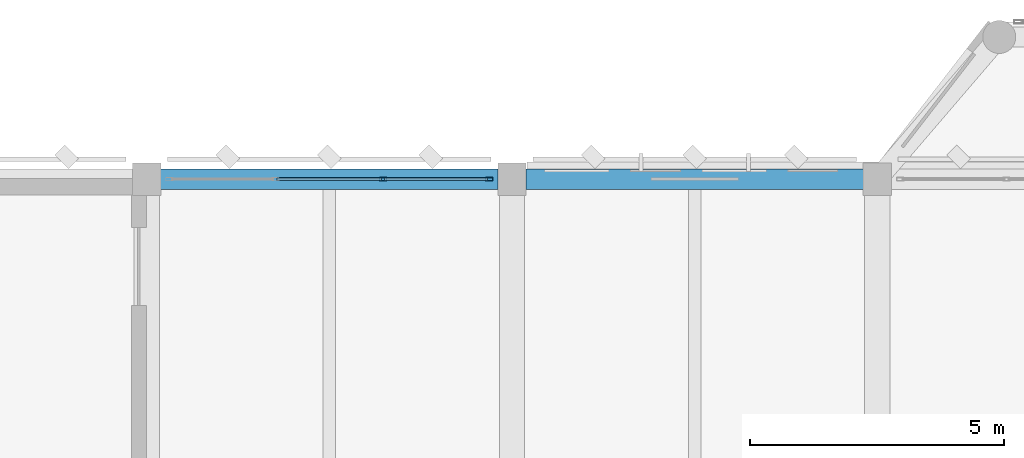
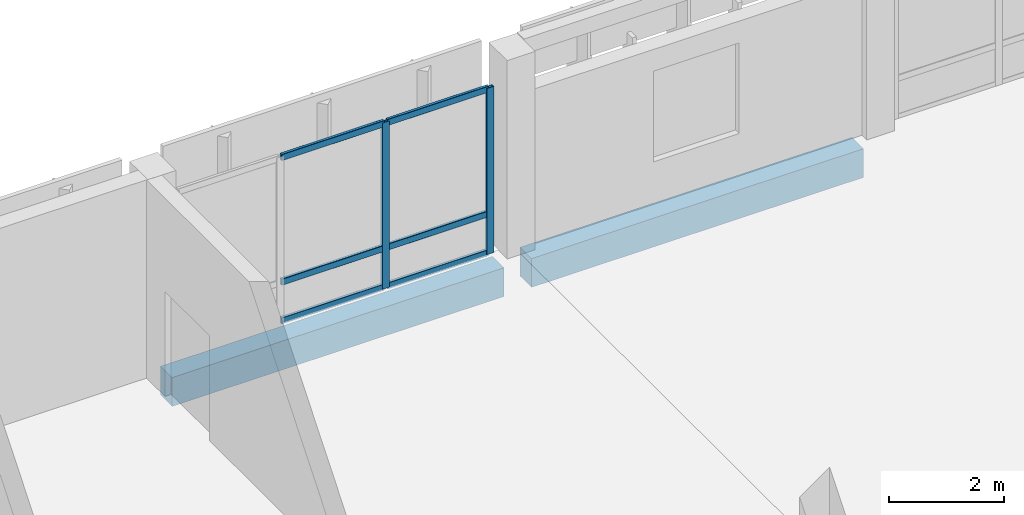
# One storey, part 71 of 158: 8 members, 2 beams, 1 element without a shape of its own.
"""IFC4 building model written with IfcOpenShell, lengths in metres."""

from ifc_helpers import new_model, si_unit, direction, frame, origin, origin_2d, place, context, subcontext, project, spatial, rectangle, hollow_rectangle, extrude, material, material_profile, profile_set, type_object, element, aggregate, save


model = new_model("IFC4")

# Units and contexts
model_context = context("Model", 3, precision=1e-05, world=origin(), true_north=direction((0.0, 1.0)))
body_context = subcontext(model_context, "Body", "Model", "MODEL_VIEW")
ifc_project = project(units=[si_unit("LENGTHUNIT", "METRE"), si_unit("AREAUNIT", "SQUARE_METRE"), si_unit("VOLUMEUNIT", "CUBIC_METRE"), si_unit("PLANEANGLEUNIT", "RADIAN"), si_unit("MASSUNIT", "GRAM", prefix="KILO")], contexts=[model_context])

# Site, building, storey
site_placement = place(None, origin())
site = spatial("IfcSite", under=ifc_project, at=site_placement, CompositionType="ELEMENT")
building_placement = place(site_placement, origin())
building = spatial("IfcBuilding", under=site, at=building_placement, Name="Lusvemor Sports Hall", CompositionType="ELEMENT")
storey_placement = place(building_placement, frame((0.0, 0.0, 10.800048828125)))
storey = spatial("IfcBuildingStorey", under=building, at=storey_placement, Name="L02", CompositionType="ELEMENT", Elevation=10.800048828125)

# Curtain wall, members
ifc_material_1 = material(Name="Thermally broken bronze-anodized aluminium", Category="aluminium")
curtain_wall_type = type_object("IfcCurtainWallType", Name="CW_WING_B", PredefinedType="NOTDEFINED", material=ifc_material_1)
curtain_wall_placement = place(storey_placement, origin())
curtain_wall = element("IfcCurtainWall", 1, at=curtain_wall_placement, inside=storey, type_object=curtain_wall_type, Name="Curtain Wall CW-L02-N-1-11", PredefinedType="NOTDEFINED")
ifc_material_2 = material(Name="Thermally broken bronze-anodized aluminium", Category="aluminium")
ifc_material_profile_1 = material_profile(ifc_material_2, hollow_rectangle(XDim=0.06494140625, YDim=0.14990234375, WallThickness=0.00390625, InnerFilletRadius=0.00390625, OuterFilletRadius=0.008056640625, at=origin_2d()), Name="CWMUL150x65x4")
ifc_profile_set_1 = profile_set([ifc_material_profile_1], Name="Thermally broken bronze-anodized aluminium")
member_type_1 = type_object("IfcMemberType", Name="CW_MUL_B", PredefinedType="MULLION", material=ifc_profile_set_1)
member_1_placement = place(storey_placement, frame((116.260009765625, 115.199951171875, 0.0), z_axis=(0.0, 0.0, 1.0), x_axis=(0.0, 1.0, 0.0)))
member_1 = element("IfcMember", 2, at=member_1_placement, type_object=member_type_1, Name="CW02 mullion 3", PredefinedType="MULLION", context=body_context, shape_type="SweptSolid", body=[
    extrude(hollow_rectangle(XDim=0.06494140625, YDim=0.14990234375, WallThickness=0.00390625, InnerFilletRadius=0.00390625, OuterFilletRadius=0.008056640625, at=origin_2d()), origin(), (0.0, 0.0, 1.0), 3.52001953125),
])
member_2_placement = place(storey_placement, frame((118.347412109375, 115.199951171875, 0.0), z_axis=(0.0, 0.0, 1.0), x_axis=(0.0, 1.0, 0.0)))
member_2 = element("IfcMember", 3, at=member_2_placement, type_object=member_type_1, Name="CW02 mullion 4", PredefinedType="MULLION", context=body_context, shape_type="SweptSolid", body=[
    extrude(hollow_rectangle(XDim=0.06494140625, YDim=0.14990234375, WallThickness=0.00390625, InnerFilletRadius=0.00390625, OuterFilletRadius=0.008056640625, at=origin_2d()), origin(), (0.0, 0.0, 1.0), 3.52001953125),
])
ifc_material_3 = material(Name="Thermally broken bronze-anodized aluminium", Category="aluminium")
ifc_material_profile_2 = material_profile(ifc_material_3, hollow_rectangle(XDim=0.06005859375, YDim=0.135009765625, WallThickness=0.00390625, InnerFilletRadius=0.00390625, OuterFilletRadius=0.008056640625, at=origin_2d()), Name="CWTRN135x60x4")
ifc_profile_set_2 = profile_set([ifc_material_profile_2], Name="Thermally broken bronze-anodized aluminium")
member_type_2 = type_object("IfcMemberType", Name="CW_TRN_B", PredefinedType="USERDEFINED", material=ifc_profile_set_2)
member_3_placement = place(storey_placement, frame((114.172607421875, 115.199951171875, 0.030029296875), z_axis=(1.0, 0.0, 0.0), x_axis=(0.0, 1.0, 0.0)))
member_3 = element("IfcMember", 4, at=member_3_placement, type_object=member_type_2, Name="CW02 transom 2.1", ObjectType="TRANSOM", PredefinedType="USERDEFINED", context=body_context, shape_type="SweptSolid", body=[
    extrude(hollow_rectangle(XDim=0.06005859375, YDim=0.135009765625, WallThickness=0.00390625, InnerFilletRadius=0.00390625, OuterFilletRadius=0.008056640625, at=origin_2d()), origin(), (0.0, 0.0, 1.0), 2.054931640625),
])
member_4_placement = place(storey_placement, frame((114.172607421875, 115.199951171875, 0.849853515625), z_axis=(1.0, 0.0, 0.0), x_axis=(0.0, 1.0, 0.0)))
member_4 = element("IfcMember", 5, at=member_4_placement, type_object=member_type_2, Name="CW02 transom 2.2", ObjectType="TRANSOM", PredefinedType="USERDEFINED", context=body_context, shape_type="SweptSolid", body=[
    extrude(hollow_rectangle(XDim=0.06005859375, YDim=0.135009765625, WallThickness=0.00390625, InnerFilletRadius=0.00390625, OuterFilletRadius=0.008056640625, at=origin_2d()), origin(), (0.0, 0.0, 1.0), 2.054931640625),
])
member_5_placement = place(storey_placement, frame((114.172607421875, 115.199951171875, 3.489990234375), z_axis=(1.0, 0.0, 0.0), x_axis=(0.0, 1.0, 0.0)))
member_5 = element("IfcMember", 6, at=member_5_placement, type_object=member_type_2, Name="CW02 transom 2.3", ObjectType="TRANSOM", PredefinedType="USERDEFINED", context=body_context, shape_type="SweptSolid", body=[
    extrude(hollow_rectangle(XDim=0.06005859375, YDim=0.135009765625, WallThickness=0.00390625, InnerFilletRadius=0.00390625, OuterFilletRadius=0.008056640625, at=origin_2d()), origin(), (0.0, 0.0, 1.0), 2.054931640625),
])
member_6_placement = place(storey_placement, frame((116.29248046875, 115.199951171875, 0.030029296875), z_axis=(1.0, 0.0, 0.0), x_axis=(0.0, 1.0, 0.0)))
member_6 = element("IfcMember", 7, at=member_6_placement, type_object=member_type_2, Name="CW02 transom 3.1", ObjectType="TRANSOM", PredefinedType="USERDEFINED", context=body_context, shape_type="SweptSolid", body=[
    extrude(hollow_rectangle(XDim=0.06005859375, YDim=0.135009765625, WallThickness=0.00390625, InnerFilletRadius=0.00390625, OuterFilletRadius=0.008056640625, at=origin_2d()), origin(), (0.0, 0.0, 1.0), 2.0224609375),
])
member_7_placement = place(storey_placement, frame((116.29248046875, 115.199951171875, 0.849853515625), z_axis=(1.0, 0.0, 0.0), x_axis=(0.0, 1.0, 0.0)))
member_7 = element("IfcMember", 8, at=member_7_placement, type_object=member_type_2, Name="CW02 transom 3.2", ObjectType="TRANSOM", PredefinedType="USERDEFINED", context=body_context, shape_type="SweptSolid", body=[
    extrude(hollow_rectangle(XDim=0.06005859375, YDim=0.135009765625, WallThickness=0.00390625, InnerFilletRadius=0.00390625, OuterFilletRadius=0.008056640625, at=origin_2d()), origin(), (0.0, 0.0, 1.0), 2.0224609375),
])
member_8_placement = place(storey_placement, frame((116.29248046875, 115.199951171875, 3.489990234375), z_axis=(1.0, 0.0, 0.0), x_axis=(0.0, 1.0, 0.0)))
member_8 = element("IfcMember", 9, at=member_8_placement, type_object=member_type_2, Name="CW02 transom 3.3", ObjectType="TRANSOM", PredefinedType="USERDEFINED", context=body_context, shape_type="SweptSolid", body=[
    extrude(hollow_rectangle(XDim=0.06005859375, YDim=0.135009765625, WallThickness=0.00390625, InnerFilletRadius=0.00390625, OuterFilletRadius=0.008056640625, at=origin_2d()), origin(), (0.0, 0.0, 1.0), 2.0224609375),
])
aggregate(curtain_wall, [member_1, member_2, member_3, member_4, member_5, member_6, member_7, member_8])

# Beams
ifc_material_4 = material(Name="Concrete C40/50", Category="concrete")
ifc_material_profile_3 = material_profile(ifc_material_4, rectangle(XDim=0.39990234375, YDim=0.610107421875, at=origin_2d()), Name="RC400x610")
ifc_profile_set_3 = profile_set([ifc_material_profile_3], Name="Concrete C40/50")
beam_type = type_object("IfcBeamType", Name="SPAND_EXT_650", PredefinedType="SPANDREL", material=ifc_profile_set_3)
beam_1_placement = place(storey_placement, frame((111.8759765625, 115.199951171875, -0.56494140625), z_axis=(1.0, 0.0, 0.0), x_axis=(0.0, 1.0, 0.0)))
element("IfcBeam", 10, at=beam_1_placement, inside=storey, type_object=beam_type, Name="Beam L02 Q:12-13", PredefinedType="SPANDREL", context=body_context, shape_type="SweptSolid", body=[
    extrude(rectangle(XDim=0.39990234375, YDim=0.610107421875, at=origin_2d()), origin(), (0.0, 0.0, 1.0), 6.64794921875),
])
beam_2_placement = place(storey_placement, frame((119.075927734375, 115.199951171875, -0.56494140625), z_axis=(1.0, 0.0, 0.0), x_axis=(0.0, 1.0, 0.0)))
element("IfcBeam", 11, at=beam_2_placement, inside=storey, type_object=beam_type, Name="Beam L02 Q:13-14", PredefinedType="SPANDREL", context=body_context, shape_type="SweptSolid", body=[
    extrude(rectangle(XDim=0.39990234375, YDim=0.610107421875, at=origin_2d()), origin(), (0.0, 0.0, 1.0), 6.648193359375),
])

save(model, "model.ifc")
